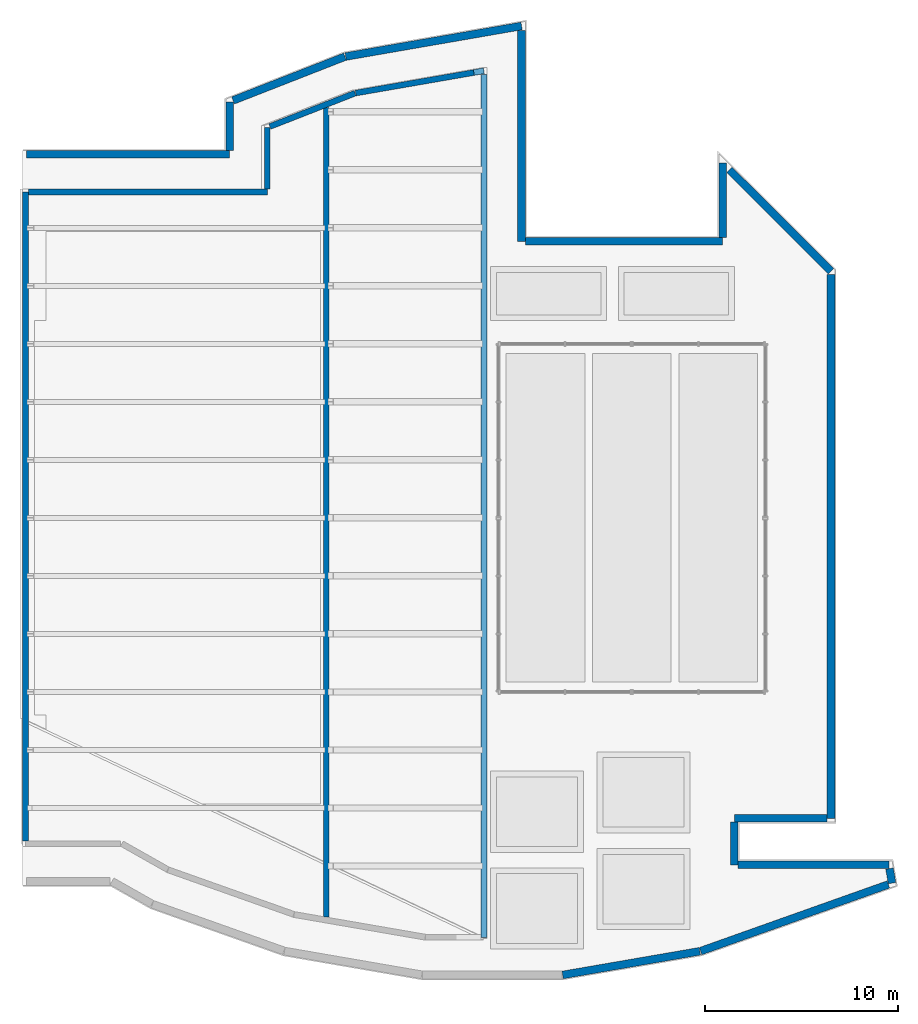
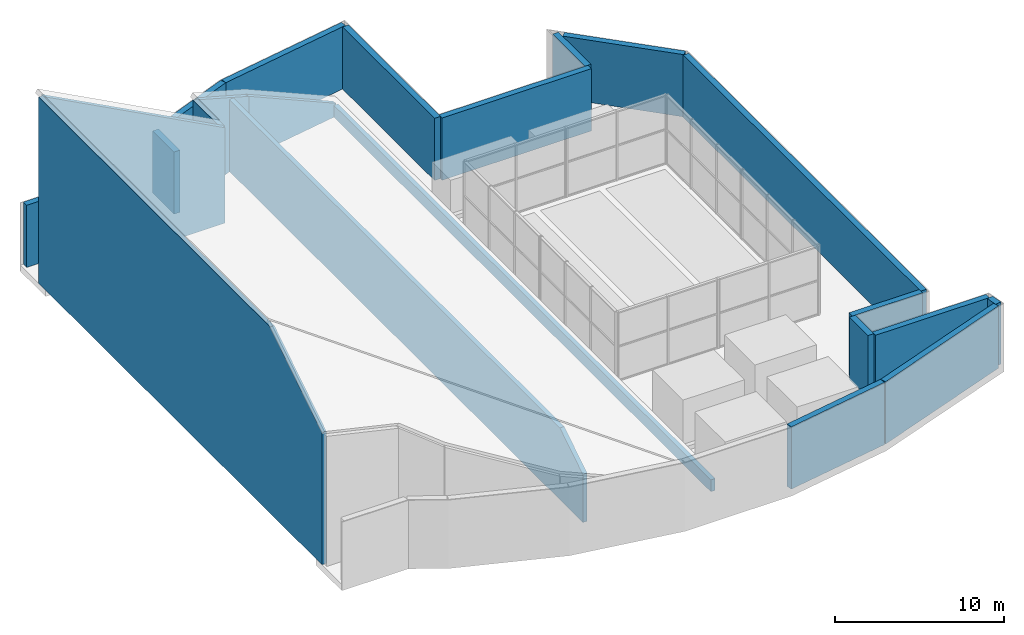
# One storey, part 4 of 6: 22 walls.
"""IFC4 building model written with IfcOpenShell, lengths in metres."""

import ifcopenshell
import ifcopenshell.guid

model = None  # the IFC model being written
_history = None  # IfcOwnerHistory: only IFC2X3 demands one
_inside = {}  # id of a spatial element -> (the spatial element, [elements in it])
_under = {}  # id of a project, library or spatial element -> (it, [spatial elements below it])
_declared = {}  # id of a project -> (the project, [libraries it declares])
_typed = {}  # id of a type object -> (the type object, [elements of that type])
_made_of = {}  # id of a material, layer set ... -> (it, [elements and type objects made of it])


def new_model(schema):
    """Start an empty IFC model of exactly this schema.

    Asked for "IFC4X3", IfcOpenShell would pick the latest addendum, in which some entities
    have other attributes; the version numbers below select the first issue.
    IFC2X3 requires an IfcOwnerHistory on every rooted entity: one is made here for all.
    """
    global model, _history
    if schema == "IFC4X3":
        model = ifcopenshell.file(schema_version=(4, 3, 0, 0))
    else:
        model = ifcopenshell.file(schema=schema)
    _inside.clear()
    _under.clear()
    _declared.clear()
    _typed.clear()
    _made_of.clear()
    _history = None
    if model.schema == "IFC2X3":
        org = make("IfcOrganization", Name="unknown")
        user = make(
            "IfcPersonAndOrganization",
            ThePerson=make("IfcPerson", FamilyName="unknown"),
            TheOrganization=org,
        )
        app = make(
            "IfcApplication",
            ApplicationDeveloper=org,
            Version="unknown",
            ApplicationFullName="unknown",
            ApplicationIdentifier="unknown",
        )
        _history = make(
            "IfcOwnerHistory",
            OwningUser=user,
            OwningApplication=app,
            ChangeAction="ADDED",
            CreationDate=0,
        )
    return model


def make(cls, **values):
    """One entity of the class cls with the attributes given. An attribute that is None is left unset."""
    return model.create_entity(
        cls, **{name: value for name, value in values.items() if value is not None}
    )


def rooted(cls, **values):
    """An entity with a GlobalId (a new one), such as an element, a storey or a relation."""
    return make(cls, GlobalId=ifcopenshell.guid.new(), OwnerHistory=_history, **values)


def si_unit(unit_type, name, prefix=None):
    """IfcSIUnit, for example si_unit("LENGTHUNIT", "METRE", prefix="MILLI")."""
    return make("IfcSIUnit", UnitType=unit_type, Prefix=prefix, Name=name)


def assignment(units):
    """IfcUnitAssignment: the units of a project."""
    return None if units is None else make("IfcUnitAssignment", Units=units)


def point(xyz):
    """IfcCartesianPoint."""
    return None if xyz is None else make("IfcCartesianPoint", Coordinates=xyz)


def direction(xyz):
    """IfcDirection."""
    return None if xyz is None else make("IfcDirection", DirectionRatios=xyz)


def frame(location, z_axis=None, x_axis=None):
    """IfcAxis2Placement3D, a coordinate frame: its origin and axes. An axis left out is left unset."""
    return make(
        "IfcAxis2Placement3D",
        Location=point(location),
        Axis=direction(z_axis),
        RefDirection=direction(x_axis),
    )


def frame_2d(location, x_axis=None):
    """IfcAxis2Placement2D, a coordinate frame in the plane: its origin and x axis."""
    return make(
        "IfcAxis2Placement2D", Location=point(location), RefDirection=direction(x_axis)
    )


def origin():
    """The frame at (0, 0, 0) with its axes left unset."""
    return frame((0.0, 0.0, 0.0))


def place(relative_to, where):
    """IfcLocalPlacement: puts the frame where relative to a parent placement (None: the world)."""
    return make(
        "IfcLocalPlacement", PlacementRelTo=relative_to, RelativePlacement=where
    )


def context(
    kind, dimensions, precision=None, world=None, true_north=None, identifier=None
):
    """IfcGeometricRepresentationContext, for example the 3D "Model" context."""
    return make(
        "IfcGeometricRepresentationContext",
        ContextIdentifier=identifier,
        ContextType=kind,
        CoordinateSpaceDimension=dimensions,
        Precision=precision,
        WorldCoordinateSystem=world,
        TrueNorth=true_north,
    )


def subcontext(parent, identifier, kind, view, scale=None):
    """IfcGeometricRepresentationSubContext, for example "Body" below "Model"."""
    return make(
        "IfcGeometricRepresentationSubContext",
        ContextIdentifier=identifier,
        ContextType=kind,
        ParentContext=parent,
        TargetScale=scale,
        TargetView=view,
    )


def project(units=None, contexts=None):
    """IfcProject with its units and contexts."""
    return rooted(
        "IfcProject",
        Name="project",
        RepresentationContexts=contexts,
        UnitsInContext=assignment(units),
    )


def spatial(cls, under=None, at=None, **own):
    """A site, building, storey or space (cls), placed at a placement, below another one or the project."""
    s = rooted(cls, ObjectPlacement=at, **own)
    if under is not None:
        _under.setdefault(under.id(), (under, []))[1].append(s)
    return s


def polyline(points):
    """IfcPolyline through the points."""
    return make("IfcPolyline", Points=[point(p) for p in points])


def profile(cls, at=None, kind="AREA", **sizes):
    """A parametric profile (cls). Its sizes go by their IFC names, for example OverallWidth=200.0."""
    return make(cls, ProfileType=kind, Position=at, **sizes)


def rectangle(**sizes):
    """IfcRectangleProfileDef."""
    return profile("IfcRectangleProfileDef", **sizes)


def outline(outer, holes=None, kind="AREA"):
    """IfcArbitraryClosedProfileDef: a profile drawn as a closed curve; with holes, ...WithVoids."""
    if holes is None:
        return make("IfcArbitraryClosedProfileDef", ProfileType=kind, OuterCurve=outer)
    return make(
        "IfcArbitraryProfileDefWithVoids",
        ProfileType=kind,
        OuterCurve=outer,
        InnerCurves=holes,
    )


def extrude(swept, where, along, depth):
    """IfcExtrudedAreaSolid: the profile swept, set in the frame where, extruded along a direction by depth."""
    return make(
        "IfcExtrudedAreaSolid",
        SweptArea=swept,
        Position=where,
        ExtrudedDirection=direction(along),
        Depth=depth,
    )


def shape(context_of_items, identifier, shape_type, items):
    """IfcShapeRepresentation: the items that make up one representation, for example the "Body"."""
    return make(
        "IfcShapeRepresentation",
        ContextOfItems=context_of_items,
        RepresentationIdentifier=identifier,
        RepresentationType=shape_type,
        Items=items,
    )


def material(Name=None, Category=None):
    """IfcMaterial."""
    return make("IfcMaterial", Name=Name, Category=Category)


def layer(
    of_material, thickness, ventilated=None, Name=None, Category=None, Priority=None
):
    """IfcMaterialLayer: one layer of a wall or slab, of a material (None: an air gap)."""
    return make(
        "IfcMaterialLayer",
        Material=of_material,
        LayerThickness=thickness,
        IsVentilated=ventilated,
        Name=Name,
        Category=Category,
        Priority=Priority,
    )


def layer_set(layers, Name=None):
    """IfcMaterialLayerSet."""
    return make("IfcMaterialLayerSet", MaterialLayers=layers, LayerSetName=Name)


def made_of(thing, what):
    """Note that an element or type object is made of a material, layer set ...; save() writes the relation."""
    if what is not None:
        _made_of.setdefault(what.id(), (what, []))[1].append(thing)
    return thing


def type_object(cls, material=None, **own):
    """A type object (cls), such as IfcWallType, which elements share."""
    return made_of(rooted(cls, **own), material)


def element(
    cls,
    number,
    at=None,
    inside=None,
    cuts=None,
    type_object=None,
    material=None,
    context=None,
    identifier="Body",
    shape_type=None,
    held_by="IfcProductDefinitionShape",
    body=None,
    shapes=None,
    **own,
):
    """One element of the class cls, such as IfcWall. Its Tag is "e" and its number.

    at: its placement. inside: the storey or other place that contains it. cuts: it is an
    opening in that element (IfcRelVoidsElement). A single representation is given by context,
    identifier, shape_type and body (its items); several are given by shapes. held_by: the class
    of the entity that holds the representations. save() writes the other relations.
    """
    e = rooted(cls, Tag="e%d" % number, ObjectPlacement=at, **own)
    if body is not None:
        shapes = [shape(context, identifier, shape_type, body)]
    if shapes is not None:
        e.Representation = make(held_by, Representations=shapes)
    if inside is not None:
        _inside.setdefault(inside.id(), (inside, []))[1].append(e)
    if cuts is not None:
        rooted(
            "IfcRelVoidsElement", RelatingBuildingElement=cuts, RelatedOpeningElement=e
        )
    if type_object is not None:
        _typed.setdefault(type_object.id(), (type_object, []))[1].append(e)
    return made_of(e, material)


def aggregate(whole, parts):
    """IfcRelAggregates: a whole, such as a stair, and the parts it consists of."""
    return rooted("IfcRelAggregates", RelatingObject=whole, RelatedObjects=parts)


def save(model, path):
    """Write the relations noted so far, then the file.

    IfcRelAggregates (storeys below a building ...), IfcRelContainedInSpatialStructure (elements
    in a storey), IfcRelDefinesByType, IfcRelAssociatesMaterial and IfcRelDeclares: one each for
    every whole, place, type object, material and project.
    """
    for whole, parts in _under.values():
        aggregate(whole, parts)
    for where, things in _inside.values():
        rooted(
            "IfcRelContainedInSpatialStructure",
            RelatedElements=things,
            RelatingStructure=where,
        )
    for kind, things in _typed.values():
        rooted("IfcRelDefinesByType", RelatedObjects=things, RelatingType=kind)
    for what, things in _made_of.values():
        rooted("IfcRelAssociatesMaterial", RelatedObjects=things, RelatingMaterial=what)
    for by, libraries in _declared.values():
        rooted("IfcRelDeclares", RelatingContext=by, RelatedDefinitions=libraries)
    model.write(path)


model = new_model("IFC4")

# Units and contexts
model_context = context("Model", 3, precision=1e-05, world=origin(), true_north=direction((0.0, 1.0)))
body_context = subcontext(model_context, "Body", "Model", "MODEL_VIEW")
ifc_project = project(units=[si_unit("LENGTHUNIT", "METRE"), si_unit("AREAUNIT", "SQUARE_METRE"), si_unit("VOLUMEUNIT", "CUBIC_METRE"), si_unit("PLANEANGLEUNIT", "RADIAN"), si_unit("MASSUNIT", "GRAM", prefix="KILO")], contexts=[model_context])

# Site, building, storey
site_placement = place(None, origin())
site = spatial("IfcSite", under=ifc_project, at=site_placement, CompositionType="ELEMENT")
building_placement = place(site_placement, origin())
building = spatial("IfcBuilding", under=site, at=building_placement, Name="Cypress Arch Tower", CompositionType="ELEMENT")
storey_placement = place(building_placement, frame((0.0, 0.0, 359.0)))
storey = spatial("IfcBuildingStorey", under=building, at=storey_placement, Name="ROOF", CompositionType="ELEMENT", Elevation=359.0)

# Walls
ifc_material_1 = material(Name="White painted Concrete C40/50", Category="concrete")
ifc_layer_1 = layer(ifc_material_1, 0.39990234375)
ifc_layer_set_1 = layer_set([ifc_layer_1], Name="Crown upstand band 400 White painted Concrete C40/50")
wall_type_1 = type_object("IfcWallType", Name="Crown upstand band 400 White painted Concrete C40/50", PredefinedType="PARAPET", material=ifc_layer_set_1)
wall_1_placement = place(storey_placement, frame((-19.300048828125, 19.0, 0.0), z_axis=(0.0, 0.0, 1.0), x_axis=(0.0, 1.0, 0.0)))
element("IfcWall", 1, at=wall_1_placement, inside=storey, type_object=wall_type_1, Name="Crown upstand band 1", PredefinedType="PARAPET", context=body_context, shape_type="SweptSolid", body=[
    extrude(rectangle(XDim=2.5185546875, YDim=0.39990234375, at=frame_2d((1.25927734375, 0.0))), origin(), (0.0, 0.0, 1.0), 4.5),
])
wall_2_placement = place(storey_placement, frame((-19.123046875, 21.587646484375, 0.0), z_axis=(0.0, 0.0, 1.0), x_axis=(0.931214950688, 0.364470459181, 0.0)))
element("IfcWall", 2, at=wall_2_placement, inside=storey, type_object=wall_type_1, Name="Crown upstand band 2", PredefinedType="PARAPET", context=body_context, shape_type="SweptSolid", body=[
    extrude(rectangle(XDim=6.213623046875, YDim=0.39990234375, at=frame_2d((3.10693359375, 0.0))), origin(), (0.0, 0.0, 1.0), 4.5),
])
wall_3_placement = place(storey_placement, frame((-13.297607421875, 23.859130859375, 0.0), z_axis=(0.0, 0.0, 1.0), x_axis=(0.98524162375, 0.171169339635, 0.0)))
element("IfcWall", 3, at=wall_3_placement, inside=storey, type_object=wall_type_1, Name="Crown upstand band 3", PredefinedType="PARAPET", context=body_context, shape_type="SweptSolid", body=[
    extrude(rectangle(XDim=9.23388671875, YDim=0.39990234375, at=frame_2d((4.616943359375, 0.0))), origin(), (0.0, 0.0, 1.0), 4.5),
])
wall_4_placement = place(storey_placement, frame((-4.199951171875, 25.19970703125, 0.0), z_axis=(0.0, 0.0, 1.0), x_axis=(0.0, -1.0, 0.0)))
element("IfcWall", 4, at=wall_4_placement, inside=storey, type_object=wall_type_1, Name="Crown upstand band 4", PredefinedType="PARAPET", context=body_context, shape_type="SweptSolid", body=[
    extrude(rectangle(XDim=10.899658203125, YDim=0.39990234375, at=frame_2d((5.44970703125, 0.0))), origin(), (0.0, 0.0, 1.0), 4.5),
])
wall_5_placement = place(storey_placement, frame((-4.0, 14.300048828125, 0.0), z_axis=(0.0, 0.0, 1.0), x_axis=(1.0, 0.0, 0.0)))
element("IfcWall", 5, at=wall_5_placement, inside=storey, type_object=wall_type_1, Name="Crown upstand band 5", PredefinedType="PARAPET", context=body_context, shape_type="SweptSolid", body=[
    extrude(rectangle(XDim=10.199951171875, YDim=0.39990234375, at=frame_2d((5.10009765625, 0.0))), origin(), (0.0, 0.0, 1.0), 4.5),
])
wall_6_placement = place(storey_placement, frame((6.199951171875, 14.5, 0.0), z_axis=(0.0, 0.0, 1.0), x_axis=(0.0, 1.0, 0.0)))
element("IfcWall", 6, at=wall_6_placement, inside=storey, type_object=wall_type_1, Name="Crown upstand band 6", PredefinedType="PARAPET", context=body_context, shape_type="SweptSolid", body=[
    extrude(rectangle(XDim=3.845703125, YDim=0.39990234375, at=frame_2d((1.9228515625, 0.0))), origin(), (0.0, 0.0, 1.0), 4.5),
])
wall_7_placement = place(storey_placement, frame((6.54638671875, 17.9990234375, 0.0), z_axis=(0.0, 0.0, 1.0), x_axis=(0.707123211202, -0.70709035079, 0.0)))
element("IfcWall", 7, at=wall_7_placement, inside=storey, type_object=wall_type_1, Name="Crown upstand band 7", PredefinedType="PARAPET", context=body_context, shape_type="SweptSolid", body=[
    extrude(rectangle(XDim=7.4296875, YDim=0.39990234375, at=frame_2d((3.71484375, 0.0))), origin(), (0.0, 0.0, 1.0), 4.5),
])
wall_8_placement = place(storey_placement, frame((11.800048828125, 12.595703125, 0.0), z_axis=(0.0, 0.0, 1.0), x_axis=(0.0, -1.0, 0.0)))
element("IfcWall", 8, at=wall_8_placement, inside=storey, type_object=wall_type_1, Name="Crown upstand band 8", PredefinedType="PARAPET", context=body_context, shape_type="SweptSolid", body=[
    extrude(rectangle(XDim=28.1357421875, YDim=0.39990234375, at=frame_2d((14.06787109375, 0.0))), origin(), (0.0, 0.0, 1.0), 4.5),
])
wall_9_placement = place(storey_placement, frame((11.60009765625, -15.5400390625, 0.0), z_axis=(0.0, 0.0, 1.0), x_axis=(-1.0, 0.0, 0.0)))
element("IfcWall", 9, at=wall_9_placement, inside=storey, type_object=wall_type_1, Name="Crown upstand band 9", PredefinedType="PARAPET", context=body_context, shape_type="SweptSolid", body=[
    extrude(rectangle(XDim=4.800048828125, YDim=0.39990234375, at=frame_2d((2.39990234375, 0.0))), origin(), (0.0, 0.0, 1.0), 4.5),
])
wall_10_placement = place(storey_placement, frame((6.800048828125, -15.739990234375, 0.0), z_axis=(0.0, 0.0, 1.0), x_axis=(0.0, -1.0, 0.0)))
element("IfcWall", 10, at=wall_10_placement, inside=storey, type_object=wall_type_1, Name="Crown upstand band 10", PredefinedType="PARAPET", context=body_context, shape_type="SweptSolid", body=[
    extrude(rectangle(XDim=2.199951171875, YDim=0.39990234375, at=frame_2d((1.10009765625, 0.0))), origin(), (0.0, 0.0, 1.0), 4.5),
])
wall_11_placement = place(storey_placement, frame((7.0, -17.93994140625, 0.0), z_axis=(0.0, 0.0, 1.0), x_axis=(1.0, 0.0, 0.0)))
element("IfcWall", 11, at=wall_11_placement, inside=storey, type_object=wall_type_1, Name="Crown upstand band 11", PredefinedType="PARAPET", context=body_context, shape_type="SweptSolid", body=[
    extrude(rectangle(XDim=7.794677734375, YDim=0.39990234375, at=frame_2d((3.8974609375, 0.0))), origin(), (0.0, 0.0, 1.0), 4.5),
])
wall_12_placement = place(storey_placement, frame((14.828857421875, -18.13720703125, 0.0), z_axis=(0.0, 0.0, 1.0), x_axis=(0.169575386618, -0.985517218649, 0.0)))
element("IfcWall", 12, at=wall_12_placement, inside=storey, type_object=wall_type_1, Name="Crown upstand band 12", PredefinedType="PARAPET", context=body_context, shape_type="SweptSolid", body=[
    extrude(rectangle(XDim=0.764404296875, YDim=0.39990234375, at=frame_2d((0.38232421875, 0.0))), origin(), (0.0, 0.0, 1.0), 4.5),
])
wall_13_placement = place(storey_placement, frame((14.770263671875, -18.95751953125, 0.0), z_axis=(0.0, 0.0, 1.0), x_axis=(-0.942317161857, -0.334721326585, 0.0)))
element("IfcWall", 13, at=wall_13_placement, inside=storey, type_object=wall_type_1, Name="Crown upstand band 13", PredefinedType="PARAPET", context=body_context, shape_type="SweptSolid", body=[
    extrude(rectangle(XDim=10.306884765625, YDim=0.39990234375, at=frame_2d((5.1533203125, 0.0))), origin(), (0.0, 0.0, 1.0), 4.5),
])
wall_14_placement = place(storey_placement, frame((5.018310546875, -22.414306640625, 0.0), z_axis=(0.0, 0.0, 1.0), x_axis=(-0.985402297503, -0.170241922203, 0.0)))
element("IfcWall", 14, at=wall_14_placement, inside=storey, type_object=wall_type_1, Name="Crown upstand band 14", PredefinedType="PARAPET", context=body_context, shape_type="SweptSolid", body=[
    extrude(rectangle(XDim=7.198974609375, YDim=0.39990234375, at=frame_2d((3.599609375, 0.0))), origin(), (0.0, 0.0, 1.0), 4.5),
])
wall_15_placement = place(storey_placement, frame((-29.800048828125, 18.800048828125, 0.0), z_axis=(0.0, 0.0, 1.0), x_axis=(1.0, 0.0, 0.0)))
element("IfcWall", 15, at=wall_15_placement, inside=storey, type_object=wall_type_1, Name="Crown upstand band 20", PredefinedType="PARAPET", context=body_context, shape_type="SweptSolid", body=[
    extrude(rectangle(XDim=10.5, YDim=0.39990234375, at=frame_2d((5.25, 0.0))), origin(), (0.0, 0.0, 1.0), 4.5),
])
ifc_material_2 = material(Name="Concrete C40/50", Category="concrete")
ifc_layer_2 = layer(ifc_material_2, 0.300048828125)
ifc_layer_set_2 = layer_set([ifc_layer_2], Name="Raked roof wall 300 Concrete C40/50")
wall_type_2 = type_object("IfcWallType", Name="Raked roof wall 300 Concrete C40/50", PredefinedType="SOLIDWALL", material=ifc_layer_set_2)
wall_16_placement = place(storey_placement, frame((-29.85009765625, -16.699951171875, 0.0), z_axis=(0.0, 0.0, 1.0), x_axis=(0.0, 1.0, 0.0)))
element("IfcWall", 16, at=wall_16_placement, inside=storey, type_object=wall_type_2, Name="Raked roof wall 5", PredefinedType="SOLIDWALL", context=body_context, shape_type="SweptSolid", body=[
    extrude(outline(polyline([(0.0, 0.0), (33.550048828125, 0.0), (33.550048828125, 13.461669921875), (6.40185546875, 13.461669921875), (6.292724609375, 13.461669921875), (6.150390625, 13.461669921875), (6.041015625, 13.392578125), (0.0, 9.5634765625), (0.0, 0.0)])), frame((0.0, 0.14990234375, 0.0), z_axis=(0.0, -1.0, 0.0), x_axis=(1.0, 0.0, 0.0)), (0.0, 0.0, 1.0), 0.300048828125),
])
wall_17_placement = place(storey_placement, frame((-29.699951171875, 16.85009765625, 0.0), z_axis=(0.0, 0.0, 1.0), x_axis=(1.0, 0.0, 0.0)))
element("IfcWall", 17, at=wall_17_placement, inside=storey, type_object=wall_type_2, Name="Raked roof wall 6", PredefinedType="SOLIDWALL", context=body_context, shape_type="SweptSolid", body=[
    extrude(outline(polyline([(0.0, 0.0), (12.349853515625, 0.0), (12.35009765625, 6.89501953125), (0.0, 13.461669921875), (0.0, 0.0)])), frame((0.0, 0.14990234375, 0.0), z_axis=(0.0, -1.0, 0.0), x_axis=(1.0, 0.0, 0.0)), (0.0, 0.0, 1.0), 0.300048828125),
])
wall_18_placement = place(storey_placement, frame((-17.35009765625, 17.0, 0.0), z_axis=(0.0, 0.0, 1.0), x_axis=(0.0, 1.0, 0.0)))
element("IfcWall", 18, at=wall_18_placement, inside=storey, type_object=wall_type_2, Name="Raked roof wall 7", PredefinedType="SOLIDWALL", context=body_context, shape_type="SweptSolid", body=[
    extrude(outline(polyline([(0.0, 0.0), (3.187744140625, 0.0), (3.187744140625, 6.8154296875), (0.0, 6.8154296875), (0.0, 0.0)])), frame((0.0, 0.14990234375, 0.0), z_axis=(0.0, -1.0, 0.0), x_axis=(1.0, 0.0, 0.0)), (0.0, 0.0, 1.0), 0.300048828125),
])
wall_19_placement = place(storey_placement, frame((-17.2197265625, 20.23876953125, 0.0), z_axis=(0.0, 0.0, 1.0), x_axis=(0.931223764645, 0.364447938889, 0.0)))
element("IfcWall", 19, at=wall_19_placement, inside=storey, type_object=wall_type_2, Name="Raked roof wall 8", PredefinedType="SOLIDWALL", context=body_context, shape_type="SweptSolid", body=[
    extrude(outline(polyline([(0.0, 0.0), (4.736083984375, 0.0), (4.736083984375, 4.451904296875), (0.0, 6.796630859375), (0.0, 0.0)])), frame((0.0, 0.14990234375, 0.0), z_axis=(0.0, -1.0, 0.0), x_axis=(1.0, 0.0, 0.0)), (0.0, 0.0, 1.0), 0.300048828125),
])
wall_20_placement = place(storey_placement, frame((-12.77978515625, 21.969970703125, 0.0), z_axis=(0.0, 0.0, 1.0), x_axis=(0.985247149367, 0.171137531432, 0.0)))
element("IfcWall", 20, at=wall_20_placement, inside=storey, type_object=wall_type_2, Name="Raked roof wall 9", PredefinedType="SOLIDWALL", context=body_context, shape_type="SweptSolid", body=[
    extrude(outline(polyline([(0.0, 0.0), (6.729248046875, 0.0), (6.729248046875, 0.92626953125), (0.0, 4.451416015625), (0.0, 0.0)])), frame((0.0, 0.14990234375, 0.0), z_axis=(0.0, -1.0, 0.0), x_axis=(1.0, 0.0, 0.0)), (0.0, 0.0, 1.0), 0.300048828125),
])
wall_21_placement = place(storey_placement, frame((-6.14990234375, 22.941650390625, 0.0), z_axis=(0.0, 0.0, 1.0), x_axis=(0.0, -1.0, 0.0)))
element("IfcWall", 21, at=wall_21_placement, inside=storey, type_object=wall_type_2, Name="Raked roof wall 10", PredefinedType="SOLIDWALL", context=body_context, shape_type="SweptSolid", body=[
    extrude(outline(polyline([(0.0, 0.0), (44.631591796875, 0.0), (44.631591796875, 0.860107421875), (44.604248046875, 0.860107421875), (44.4951171875, 0.860107421875), (0.0, 0.860107421875), (0.0, 0.0)])), frame((0.0, 0.14990234375, 0.0), z_axis=(0.0, -1.0, 0.0), x_axis=(1.0, 0.0, 0.0)), (0.0, 0.0, 1.0), 0.300048828125),
])
wall_22_placement = place(storey_placement, frame((-14.300048828125, -20.649169921875, 0.0), z_axis=(0.0, 0.0, 1.0), x_axis=(0.0, 1.0, 0.0)))
element("IfcWall", 22, at=wall_22_placement, inside=storey, type_object=wall_type_2, Name="Raked roof wall E", PredefinedType="SOLIDWALL", context=body_context, shape_type="SweptSolid", body=[
    extrude(outline(polyline([(0.0, 0.0), (41.869384765625, 0.0), (41.86962890625, 5.193603515625), (2.96630859375, 5.193603515625), (2.857177734375, 5.193603515625), (2.714599609375, 5.193603515625), (2.60546875, 5.12451171875), (0.0, 3.47314453125), (0.0, 0.0)])), frame((0.0, 0.14990234375, 0.0), z_axis=(0.0, -1.0, 0.0), x_axis=(1.0, 0.0, 0.0)), (0.0, 0.0, 1.0), 0.300048828125),
])

save(model, "model.ifc")
